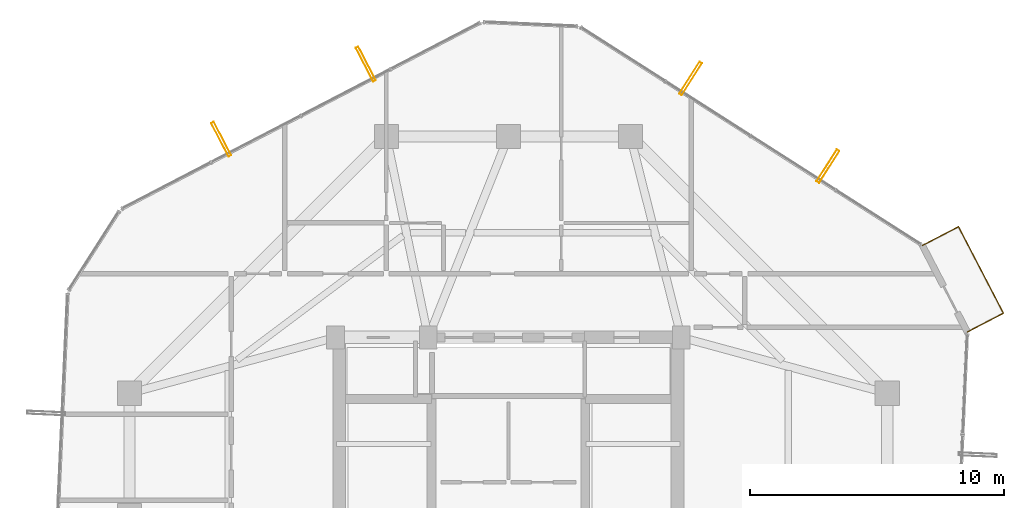
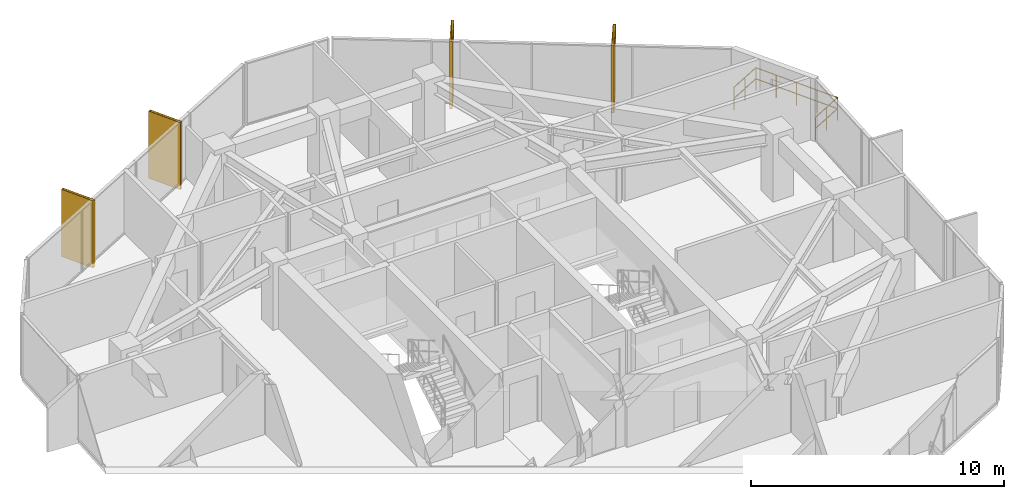
# One storey, part 29 of 29: 4 shading devices, 1 railing.
"""IFC4 building model written with IfcOpenShell, lengths in metres."""

from ifc_helpers import new_model, si_unit, direction, frame, origin, origin_2d, place, context, subcontext, project, spatial, hollow_rectangle, circle, extrude, material, material_profile, profile_set, type_object, element, save


model = new_model("IFC4")

# Units and contexts
model_context = context("Model", 3, precision=1e-05, world=origin(), true_north=direction((0.0, 1.0)))
body_context = subcontext(model_context, "Body", "Model", "MODEL_VIEW")
ifc_project = project(units=[si_unit("LENGTHUNIT", "METRE"), si_unit("AREAUNIT", "SQUARE_METRE"), si_unit("VOLUMEUNIT", "CUBIC_METRE"), si_unit("PLANEANGLEUNIT", "RADIAN"), si_unit("MASSUNIT", "GRAM", prefix="KILO")], contexts=[model_context])

# Site, building, storey
site_placement = place(None, origin())
site = spatial("IfcSite", under=ifc_project, at=site_placement, CompositionType="ELEMENT")
building_placement = place(site_placement, origin())
building = spatial("IfcBuilding", under=site, at=building_placement, Name="Veraguas Prism Commons", CompositionType="ELEMENT")
storey_placement = place(building_placement, frame((0.0, 0.0, 215.64990234375)))
storey = spatial("IfcBuildingStorey", under=building, at=storey_placement, Name="L61", CompositionType="ELEMENT", Elevation=215.64990234375)

# Shading devices
ifc_material_1 = material(Name="Anodised aluminium EN AW-6063 T6", Category="aluminium")
ifc_material_profile = material_profile(ifc_material_1, hollow_rectangle(XDim=0.1201171875, YDim=1.489990234375, WallThickness=0.006103515625, at=origin_2d()), Name="FIN120X1490X6")
ifc_profile_set = profile_set([ifc_material_profile], Name="Anodised aluminium EN AW-6063 T6")
shading_device_type = type_object("IfcShadingDeviceType", Name="Deep Pale-Metal Vertical Solar Fin 120x1490", PredefinedType="USERDEFINED", material=ifc_profile_set)
for number, where, z_axis, x_axis, name in (
    (1, (36.568603515625, 37.72900390625, -0.21484375), (0.0, 0.0, 1.0), (-0.842829263945, 0.538181040021, 0.0), "Vertical Pale-Metal Solar Fin L61-F1A"),
    (2, (31.166748046875, 41.177978515625, -0.21484375), (0.0, 0.0, 1.0), (-0.842829263945, 0.538181040021, 0.0), "Vertical Pale-Metal Solar Fin L61-F1B"),
    (3, (18.394775390625, 41.7490234375, -0.21484375), (0.0, 0.0, 1.0), (-0.887494693029, -0.460817935681, 0.0), "Vertical Pale-Metal Solar Fin L61-F2A"),
    (4, (12.706787109375, 38.795654296875, -0.21484375), (0.0, 0.0, 1.0), (-0.887494693029, -0.460817935681, 0.0), "Vertical Pale-Metal Solar Fin L61-F2B"),
):
    element("IfcShadingDevice", number, at=place(storey_placement, frame(where, z_axis=z_axis, x_axis=x_axis)), inside=storey, type_object=shading_device_type, Name=name, ObjectType="FIN", PredefinedType="USERDEFINED", context=body_context, shape_type="SweptSolid", body=[
        extrude(hollow_rectangle(XDim=0.1201171875, YDim=1.489990234375, WallThickness=0.006103515625, at=origin_2d()), origin(), (0.0, 0.0, 1.0), 3.25),
    ])

# Railing
ifc_material_2 = material(Name="Stainless steel AISI 316", Category="steel")
railing_type = type_object("IfcRailingType", Name="Loggia and Sky Pool Glazed Balustrade 1120", PredefinedType="BALUSTRADE", material=ifc_material_2)
railing_placement = place(storey_placement, frame((42.05029296875, 31.212158203125, 0.0)))
element("IfcRailing", 5, at=railing_placement, inside=storey, type_object=railing_type, Name="Recessed Corner Loggia L61-C1 Guard", PredefinedType="BALUSTRADE", context=body_context, shape_type="SweptSolid", body=[
    extrude(circle(Radius=0.02392578125, at=origin_2d()), frame((0.0, 0.0, 1.09619140625), z_axis=(0.887518875046, 0.460771360261, 0.0), x_axis=(-0.460771360261, 0.887518875046, 0.0)), (0.0, 0.0, 1.0), 1.60009765625),
    extrude(circle(Radius=0.02392578125, at=origin_2d()), frame((0.0, 0.0, 0.56005859375), z_axis=(0.887518875046, 0.460771360261, 0.0), x_axis=(-0.460771360261, 0.887518875046, 0.0)), (0.0, 0.0, 1.0), 1.60009765625),
    extrude(circle(Radius=0.02392578125, at=origin_2d()), frame((1.420166015625, 0.7373046875, 1.09619140625), z_axis=(-0.460837451781, 0.887484559323, 0.0), x_axis=(-0.887484559323, -0.460837451781, 0.0)), (0.0, 0.0, 1.0), 3.83447265625),
    extrude(circle(Radius=0.02392578125, at=origin_2d()), frame((1.420166015625, 0.7373046875, 0.56005859375), z_axis=(-0.460837451781, 0.887484559323, 0.0), x_axis=(-0.887484559323, -0.460837451781, 0.0)), (0.0, 0.0, 1.0), 3.83447265625),
    extrude(circle(Radius=0.02392578125, at=origin_2d()), frame((-0.346923828125, 4.140380859375, 1.09619140625), z_axis=(-0.887486475591, -0.460833761397, 0.0), x_axis=(0.460833761397, -0.887486475591, 0.0)), (0.0, 0.0, 1.0), 1.599853515625),
    extrude(circle(Radius=0.02392578125, at=origin_2d()), frame((-0.346923828125, 4.140380859375, 0.56005859375), z_axis=(-0.887486475591, -0.460833761397, 0.0), x_axis=(0.460833761397, -0.887486475591, 0.0)), (0.0, 0.0, 1.0), 1.599853515625),
    extrude(circle(Radius=0.02099609375, at=origin_2d()), origin(), (0.0, 0.0, 1.0), 1.072021484375),
    extrude(circle(Radius=0.02099609375, at=origin_2d()), frame((0.7099609375, 0.36865234375, 0.0)), (0.0, 0.0, 1.0), 1.072021484375),
    extrude(circle(Radius=0.02099609375, at=origin_2d()), frame((1.420166015625, 0.7373046875, 0.0)), (0.0, 0.0, 1.0), 1.072021484375),
    extrude(circle(Radius=0.02099609375, at=origin_2d()), frame((0.978515625, 1.588134765625, 0.0)), (0.0, 0.0, 1.0), 1.072021484375),
    extrude(circle(Radius=0.02099609375, at=origin_2d()), frame((0.53662109375, 2.43896484375, 0.0)), (0.0, 0.0, 1.0), 1.072021484375),
    extrude(circle(Radius=0.02099609375, at=origin_2d()), frame((0.0947265625, 3.28955078125, 0.0)), (0.0, 0.0, 1.0), 1.072021484375),
    extrude(circle(Radius=0.02099609375, at=origin_2d()), frame((-0.346923828125, 4.140380859375, 0.0)), (0.0, 0.0, 1.0), 1.072021484375),
    extrude(circle(Radius=0.02099609375, at=origin_2d()), frame((-1.056884765625, 3.771728515625, 0.0)), (0.0, 0.0, 1.0), 1.072021484375),
    extrude(circle(Radius=0.02099609375, at=origin_2d()), frame((-1.766845703125, 3.403076171875, 0.0)), (0.0, 0.0, 1.0), 1.072021484375),
])

save(model, "model.ifc")
